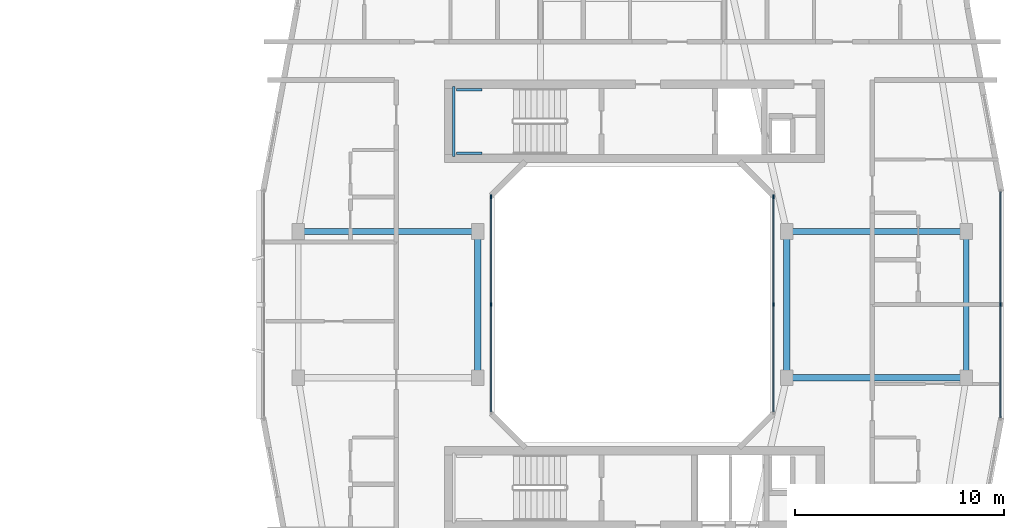
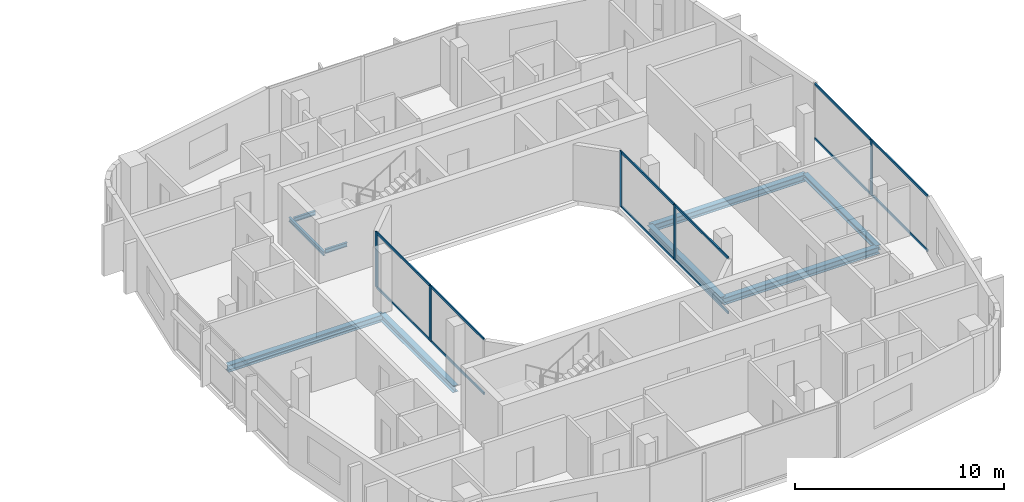
# One storey, part 9 of 26: 17 members, 9 beams, 3 elements without a shape of their own.
"""IFC4 building model written with IfcOpenShell, lengths in metres."""

from ifc_helpers import new_model, si_unit, derived_unit, direction, frame, origin, origin_2d, place, context, subcontext, project, spatial, rectangle, i_section, extrude, material, layer, layer_set, material_profile, profile_set, type_object, element, aggregate, save


model = new_model("IFC4")

# Units and contexts
model_context = context("Model", 3, precision=1e-05, world=origin(), true_north=direction((0.0, 1.0)))
body_context = subcontext(model_context, "Body", "Model", "MODEL_VIEW")
ifc_project = project(units=[si_unit("LENGTHUNIT", "METRE"), si_unit("AREAUNIT", "SQUARE_METRE"), si_unit("VOLUMEUNIT", "CUBIC_METRE"), si_unit("PLANEANGLEUNIT", "RADIAN"), si_unit("MASSUNIT", "GRAM", prefix="KILO"), derived_unit("THERMALTRANSMITTANCEUNIT", [(si_unit("POWERUNIT", "WATT"), 1), (si_unit("LENGTHUNIT", "METRE"), -2), (si_unit("THERMODYNAMICTEMPERATUREUNIT", "KELVIN"), -1)])], contexts=[model_context])

# Site, building, storey
site_placement = place(None, origin())
site = spatial("IfcSite", under=ifc_project, at=site_placement, CompositionType="ELEMENT")
building_placement = place(site_placement, origin())
building = spatial("IfcBuilding", under=site, at=building_placement, Name="Kivonza Crest Hotel", CompositionType="ELEMENT")
storey_placement = place(building_placement, frame((0.0, 0.0, 98.5)))
storey = spatial("IfcBuildingStorey", under=building, at=storey_placement, Name="L26", CompositionType="ELEMENT", Elevation=98.5)

# Beams
ifc_material_1 = material(Name="Steel S355", Category="steel")
ifc_material_profile_1 = material_profile(ifc_material_1, i_section(OverallWidth=0.280029296875, OverallDepth=0.280029296875, WebThickness=0.010498046875, FlangeThickness=0.01806640625, FilletRadius=0.02392578125, at=origin_2d()), Name="HEB 280")
ifc_profile_set_1 = profile_set([ifc_material_profile_1], Name="Steel S355")
beam_type_1 = type_object("IfcBeamType", Name="BM-HEB280", PredefinedType="SPANDREL", material=ifc_profile_set_1)
beam_1_placement = place(storey_placement, frame((93.0, 21.5, -0.389892578125), z_axis=(0.0, 1.0, 0.0), x_axis=(-1.0, 0.0, 0.0)))
element("IfcBeam", 1, at=beam_1_placement, inside=storey, type_object=beam_type_1, Name="Companion Tower T2 L26 perimeter spandrel E1-E2", PredefinedType="SPANDREL", context=body_context, shape_type="SweptSolid", body=[
    extrude(i_section(OverallWidth=0.280029296875, OverallDepth=0.280029296875, WebThickness=0.010498046875, FlangeThickness=0.01806640625, FilletRadius=0.02392578125, at=origin_2d()), origin(), (0.0, 0.0, 1.0), 7.0),
])
ifc_material_profile_2 = material_profile(ifc_material_1, i_section(OverallWidth=0.300048828125, OverallDepth=0.39990234375, WebThickness=0.013427734375, FlangeThickness=0.02392578125, FilletRadius=0.027099609375, at=origin_2d()), Name="HEB 400")
ifc_profile_set_2 = profile_set([ifc_material_profile_2], Name="Steel S355")
beam_type_2 = type_object("IfcBeamType", Name="BM-HEB400", PredefinedType="BEAM", material=ifc_profile_set_2)
beam_2_placement = place(storey_placement, frame((61.0, 28.5, -0.449951171875), z_axis=(1.0, 0.0, 0.0), x_axis=(0.0, 1.0, 0.0)))
element("IfcBeam", 2, at=beam_2_placement, inside=storey, type_object=beam_type_2, Name="Companion Tower T2 L26 girder W2-WL2", PredefinedType="BEAM", context=body_context, shape_type="SweptSolid", body=[
    extrude(i_section(OverallWidth=0.300048828125, OverallDepth=0.39990234375, WebThickness=0.013427734375, FlangeThickness=0.02392578125, FilletRadius=0.027099609375, at=origin_2d()), origin(), (0.0, 0.0, 1.0), 8.60009765625),
])
beam_3_placement = place(storey_placement, frame((69.60009765625, 21.5, -0.449951171875), z_axis=(0.0, 1.0, 0.0), x_axis=(-1.0, 0.0, 0.0)))
element("IfcBeam", 3, at=beam_3_placement, inside=storey, type_object=beam_type_2, Name="Companion Tower T2 L26 girder WL1-WL2", PredefinedType="BEAM", context=body_context, shape_type="SweptSolid", body=[
    extrude(i_section(OverallWidth=0.300048828125, OverallDepth=0.39990234375, WebThickness=0.013427734375, FlangeThickness=0.02392578125, FilletRadius=0.027099609375, at=origin_2d()), origin(), (0.0, 0.0, 1.0), 7.0),
])
for number, where, z_axis, x_axis, name in (
    (4, (84.39990234375, 21.5, -0.449951171875), (1.0, 0.0, 0.0), (0.0, 1.0, 0.0), "Companion Tower T2 L26 girder WR1-E1"),
    (5, (84.39990234375, 28.5, -0.449951171875), (1.0, 0.0, 0.0), (0.0, 1.0, 0.0), "Companion Tower T2 L26 girder WR2-E2"),
):
    element("IfcBeam", number, at=place(storey_placement, frame(where, z_axis=z_axis, x_axis=x_axis)), inside=storey, type_object=beam_type_2, Name=name, PredefinedType="BEAM", context=body_context, shape_type="SweptSolid", body=[
        extrude(i_section(OverallWidth=0.300048828125, OverallDepth=0.39990234375, WebThickness=0.013427734375, FlangeThickness=0.02392578125, FilletRadius=0.027099609375, at=origin_2d()), origin(), (0.0, 0.0, 1.0), 8.60009765625),
    ])
beam_4_placement = place(storey_placement, frame((84.39990234375, 21.5, -0.449951171875), z_axis=(0.0, 1.0, 0.0), x_axis=(-1.0, 0.0, 0.0)))
element("IfcBeam", 6, at=beam_4_placement, inside=storey, type_object=beam_type_2, Name="Companion Tower T2 L26 girder WR1-WR2", PredefinedType="BEAM", context=body_context, shape_type="SweptSolid", body=[
    extrude(i_section(OverallWidth=0.300048828125, OverallDepth=0.39990234375, WebThickness=0.013427734375, FlangeThickness=0.02392578125, FilletRadius=0.027099609375, at=origin_2d()), origin(), (0.0, 0.0, 1.0), 7.0),
])
ifc_material_profile_3 = material_profile(ifc_material_1, i_section(OverallWidth=0.1201171875, OverallDepth=0.239990234375, WebThickness=0.006103515625, FlangeThickness=0.009765625, FilletRadius=0.014892578125, at=origin_2d()), Name="IPE 240")
ifc_profile_set_3 = profile_set([ifc_material_profile_3], Name="Steel S355")
beam_type_3 = type_object("IfcBeamType", Name="BM-LLDG-240", PredefinedType="BEAM", material=ifc_profile_set_3)
beam_5_placement = place(storey_placement, frame((68.4599609375, 32.10009765625, 1.429931640625), z_axis=(0.0, 1.0, 0.0), x_axis=(-1.0, 0.0, 0.0)))
element("IfcBeam", 7, at=beam_5_placement, inside=storey, type_object=beam_type_3, Name="Stair ST-T2-N L26 West landing corbel", PredefinedType="BEAM", context=body_context, shape_type="SweptSolid", body=[
    extrude(i_section(OverallWidth=0.1201171875, OverallDepth=0.239990234375, WebThickness=0.006103515625, FlangeThickness=0.009765625, FilletRadius=0.014892578125, at=origin_2d()), origin(), (0.0, 0.0, 1.0), 3.35986328125),
])
for number, where, z_axis, x_axis, name in (
    (8, (68.590087890625, 32.260009765625, 1.429931640625), (1.0, 0.0, 0.0), (0.0, 1.0, 0.0), "Stair ST-T2-N L26 South landing corbel"),
    (9, (68.590087890625, 35.300048828125, 1.429931640625), (1.0, 0.0, 0.0), (0.0, 1.0, 0.0), "Stair ST-T2-N L26 North landing corbel"),
):
    element("IfcBeam", number, at=place(storey_placement, frame(where, z_axis=z_axis, x_axis=x_axis)), inside=storey, type_object=beam_type_3, Name=name, PredefinedType="BEAM", context=body_context, shape_type="SweptSolid", body=[
        extrude(i_section(OverallWidth=0.1201171875, OverallDepth=0.239990234375, WebThickness=0.006103515625, FlangeThickness=0.009765625, FilletRadius=0.014892578125, at=origin_2d()), origin(), (0.0, 0.0, 1.0), 1.2099609375),
    ])

# Curtain wall, member
ifc_material_2 = material(Name="Anodised bronze aluminium and low-E double glazing", Category="aluminium")
ifc_layer_1 = layer(ifc_material_2, 0.179931640625)
ifc_layer_set_1 = layer_set([ifc_layer_1], Name="Anodised bronze aluminium and low-E double glazing")
curtain_wall_type_1 = type_object("IfcCurtainWallType", Name="CW-SYS-4", PredefinedType="NOTDEFINED", material=ifc_layer_set_1)
curtain_wall_1_placement = place(storey_placement, origin())
curtain_wall_1 = element("IfcCurtainWall", 10, at=curtain_wall_1_placement, inside=storey, type_object=curtain_wall_type_1, Name="L26 unitised curtain wall CW-T2-L26-17", PredefinedType="NOTDEFINED")
ifc_material_3 = material(Name="Anodised bronze aluminium", Category="aluminium")
ifc_material_profile_4 = material_profile(ifc_material_3, rectangle(XDim=0.06494140625, YDim=0.179931640625, at=origin_2d()), Name="CW-M 65x180")
ifc_profile_set_4 = profile_set([ifc_material_profile_4], Name="Anodised bronze aluminium")
member_type_1 = type_object("IfcMemberType", Name="CW-MUL-65x180", PredefinedType="MULLION", material=ifc_profile_set_4)
member_1_placement = place(storey_placement, frame((94.639892578125, 25.0, 0.0), z_axis=(0.0, 0.0, 1.0), x_axis=(-1.0, 0.0, 0.0)))
member_1 = element("IfcMember", 11, at=member_1_placement, type_object=member_type_1, Name="CW-4 mullion 2", PredefinedType="MULLION", context=body_context, shape_type="SweptSolid", body=[
    extrude(rectangle(XDim=0.06494140625, YDim=0.179931640625, at=origin_2d()), origin(), (0.0, 0.0, 1.0), 3.25),
])

# Curtain wall, members
ifc_layer_2 = layer(ifc_material_2, 0.159912109375)
ifc_layer_set_2 = layer_set([ifc_layer_2], Name="Anodised bronze aluminium and low-E double glazing")
curtain_wall_type_2 = type_object("IfcCurtainWallType", Name="CW-SYS-5", PredefinedType="NOTDEFINED", material=ifc_layer_set_2)
curtain_wall_2_placement = place(storey_placement, origin())
curtain_wall_2 = element("IfcCurtainWall", 12, at=curtain_wall_2_placement, inside=storey, type_object=curtain_wall_type_2, Name="L26 unitised curtain wall CW-WELL-T2-L26-3", PredefinedType="NOTDEFINED")
member_2_placement = place(storey_placement, frame((83.760009765625, 25.0, 0.0), z_axis=(0.0, 0.0, 1.0), x_axis=(-1.0, 0.0, 0.0)))
member_2 = element("IfcMember", 13, at=member_2_placement, type_object=member_type_1, Name="CW-5 mullion 2", PredefinedType="MULLION", context=body_context, shape_type="SweptSolid", body=[
    extrude(rectangle(XDim=0.06494140625, YDim=0.179931640625, at=origin_2d()), origin(), (0.0, 0.0, 1.0), 3.25),
])
member_3_placement = place(storey_placement, frame((83.760009765625, 30.16748046875, 0.0), z_axis=(0.0, 0.0, 1.0), x_axis=(-1.0, 0.0, 0.0)))
member_3 = element("IfcMember", 14, at=member_3_placement, type_object=member_type_1, Name="CW-5 mullion 3", PredefinedType="MULLION", context=body_context, shape_type="SweptSolid", body=[
    extrude(rectangle(XDim=0.06494140625, YDim=0.179931640625, at=origin_2d()), origin(), (0.0, 0.0, 1.0), 3.25),
])

curtain_wall_3_placement = place(storey_placement, origin())
curtain_wall_3 = element("IfcCurtainWall", 15, at=curtain_wall_3_placement, inside=storey, type_object=curtain_wall_type_2, Name="L26 unitised curtain wall CW-WELL-T2-L26-7", PredefinedType="NOTDEFINED")
member_4_placement = place(storey_placement, frame((70.239990234375, 30.16748046875, 0.0), z_axis=(0.0, 0.0, 1.0), x_axis=(1.0, 0.0, 0.0)))
member_4 = element("IfcMember", 16, at=member_4_placement, type_object=member_type_1, Name="CW-5 mullion 1", PredefinedType="MULLION", context=body_context, shape_type="SweptSolid", body=[
    extrude(rectangle(XDim=0.06494140625, YDim=0.179931640625, at=origin_2d()), origin(), (0.0, 0.0, 1.0), 3.25),
])
member_5_placement = place(storey_placement, frame((70.239990234375, 25.0, 0.0), z_axis=(0.0, 0.0, 1.0), x_axis=(1.0, 0.0, 0.0)))
member_5 = element("IfcMember", 17, at=member_5_placement, type_object=member_type_1, Name="CW-5 mullion 2", PredefinedType="MULLION", context=body_context, shape_type="SweptSolid", body=[
    extrude(rectangle(XDim=0.06494140625, YDim=0.179931640625, at=origin_2d()), origin(), (0.0, 0.0, 1.0), 3.25),
])

# Member
ifc_material_profile_5 = material_profile(ifc_material_3, rectangle(XDim=0.06494140625, YDim=0.139892578125, at=origin_2d()), Name="CW-T 65x140")
ifc_profile_set_5 = profile_set([ifc_material_profile_5], Name="Anodised bronze aluminium")
member_type_2 = type_object("IfcMemberType", Name="CW-TRN-65x140", PredefinedType="USERDEFINED", material=ifc_profile_set_5)
member_6_placement = place(storey_placement, frame((94.639892578125, 19.5849609375, 0.032470703125), z_axis=(0.0, 1.0, 0.0), x_axis=(-1.0, 0.0, 0.0)))
member_6 = element("IfcMember", 18, at=member_6_placement, type_object=member_type_2, Name="CW-4 transom 1.1", ObjectType="TRANSOM", PredefinedType="USERDEFINED", context=body_context, shape_type="SweptSolid", body=[
    extrude(rectangle(XDim=0.06494140625, YDim=0.139892578125, at=origin_2d()), origin(), (0.0, 0.0, 1.0), 5.382568359375),
])

member_7_placement = place(storey_placement, frame((94.639892578125, 19.5849609375, 3.217529296875), z_axis=(0.0, 1.0, 0.0), x_axis=(-1.0, 0.0, 0.0)))
member_7 = element("IfcMember", 19, at=member_7_placement, type_object=member_type_2, Name="CW-4 transom 1.2", ObjectType="TRANSOM", PredefinedType="USERDEFINED", context=body_context, shape_type="SweptSolid", body=[
    extrude(rectangle(XDim=0.06494140625, YDim=0.139892578125, at=origin_2d()), origin(), (0.0, 0.0, 1.0), 5.382568359375),
])

member_8_placement = place(storey_placement, frame((94.639892578125, 25.032470703125, 0.032470703125), z_axis=(0.0, 1.0, 0.0), x_axis=(-1.0, 0.0, 0.0)))
member_8 = element("IfcMember", 20, at=member_8_placement, type_object=member_type_2, Name="CW-4 transom 2.1", ObjectType="TRANSOM", PredefinedType="USERDEFINED", context=body_context, shape_type="SweptSolid", body=[
    extrude(rectangle(XDim=0.06494140625, YDim=0.139892578125, at=origin_2d()), origin(), (0.0, 0.0, 1.0), 5.382568359375),
])

member_9_placement = place(storey_placement, frame((94.639892578125, 25.032470703125, 3.217529296875), z_axis=(0.0, 1.0, 0.0), x_axis=(-1.0, 0.0, 0.0)))
member_9 = element("IfcMember", 21, at=member_9_placement, type_object=member_type_2, Name="CW-4 transom 2.2", ObjectType="TRANSOM", PredefinedType="USERDEFINED", context=body_context, shape_type="SweptSolid", body=[
    extrude(rectangle(XDim=0.06494140625, YDim=0.139892578125, at=origin_2d()), origin(), (0.0, 0.0, 1.0), 5.382568359375),
])

aggregate(curtain_wall_1, [member_1, member_6, member_7, member_8, member_9])

member_10_placement = place(storey_placement, frame((83.760009765625, 19.864990234375, 0.032470703125), z_axis=(0.0, 1.0, 0.0), x_axis=(-1.0, 0.0, 0.0)))
member_10 = element("IfcMember", 22, at=member_10_placement, type_object=member_type_2, Name="CW-5 transom 1.1", ObjectType="TRANSOM", PredefinedType="USERDEFINED", context=body_context, shape_type="SweptSolid", body=[
    extrude(rectangle(XDim=0.06494140625, YDim=0.139892578125, at=origin_2d()), origin(), (0.0, 0.0, 1.0), 5.1025390625),
])

member_11_placement = place(storey_placement, frame((83.760009765625, 19.864990234375, 3.217529296875), z_axis=(0.0, 1.0, 0.0), x_axis=(-1.0, 0.0, 0.0)))
member_11 = element("IfcMember", 23, at=member_11_placement, type_object=member_type_2, Name="CW-5 transom 1.2", ObjectType="TRANSOM", PredefinedType="USERDEFINED", context=body_context, shape_type="SweptSolid", body=[
    extrude(rectangle(XDim=0.06494140625, YDim=0.139892578125, at=origin_2d()), origin(), (0.0, 0.0, 1.0), 5.1025390625),
])

member_12_placement = place(storey_placement, frame((83.760009765625, 25.032470703125, 0.032470703125), z_axis=(0.0, 1.0, 0.0), x_axis=(-1.0, 0.0, 0.0)))
member_12 = element("IfcMember", 24, at=member_12_placement, type_object=member_type_2, Name="CW-5 transom 2.1", ObjectType="TRANSOM", PredefinedType="USERDEFINED", context=body_context, shape_type="SweptSolid", body=[
    extrude(rectangle(XDim=0.06494140625, YDim=0.139892578125, at=origin_2d()), origin(), (0.0, 0.0, 1.0), 5.1025390625),
])

member_13_placement = place(storey_placement, frame((83.760009765625, 25.032470703125, 3.217529296875), z_axis=(0.0, 1.0, 0.0), x_axis=(-1.0, 0.0, 0.0)))
member_13 = element("IfcMember", 25, at=member_13_placement, type_object=member_type_2, Name="CW-5 transom 2.2", ObjectType="TRANSOM", PredefinedType="USERDEFINED", context=body_context, shape_type="SweptSolid", body=[
    extrude(rectangle(XDim=0.06494140625, YDim=0.139892578125, at=origin_2d()), origin(), (0.0, 0.0, 1.0), 5.1025390625),
])

aggregate(curtain_wall_2, [member_2, member_3, member_10, member_11, member_12, member_13])

member_14_placement = place(storey_placement, frame((70.239990234375, 30.135009765625, 0.032470703125), z_axis=(0.0, -1.0, 0.0), x_axis=(1.0, 0.0, 0.0)))
member_14 = element("IfcMember", 26, at=member_14_placement, type_object=member_type_2, Name="CW-5 transom 1.1", ObjectType="TRANSOM", PredefinedType="USERDEFINED", context=body_context, shape_type="SweptSolid", body=[
    extrude(rectangle(XDim=0.06494140625, YDim=0.139892578125, at=origin_2d()), origin(), (0.0, 0.0, 1.0), 5.1025390625),
])

member_15_placement = place(storey_placement, frame((70.239990234375, 30.135009765625, 3.217529296875), z_axis=(0.0, -1.0, 0.0), x_axis=(1.0, 0.0, 0.0)))
member_15 = element("IfcMember", 27, at=member_15_placement, type_object=member_type_2, Name="CW-5 transom 1.2", ObjectType="TRANSOM", PredefinedType="USERDEFINED", context=body_context, shape_type="SweptSolid", body=[
    extrude(rectangle(XDim=0.06494140625, YDim=0.139892578125, at=origin_2d()), origin(), (0.0, 0.0, 1.0), 5.1025390625),
])

member_16_placement = place(storey_placement, frame((70.239990234375, 24.967529296875, 0.032470703125), z_axis=(0.0, -1.0, 0.0), x_axis=(1.0, 0.0, 0.0)))
member_16 = element("IfcMember", 28, at=member_16_placement, type_object=member_type_2, Name="CW-5 transom 2.1", ObjectType="TRANSOM", PredefinedType="USERDEFINED", context=body_context, shape_type="SweptSolid", body=[
    extrude(rectangle(XDim=0.06494140625, YDim=0.139892578125, at=origin_2d()), origin(), (0.0, 0.0, 1.0), 5.1025390625),
])

member_17_placement = place(storey_placement, frame((70.239990234375, 24.967529296875, 3.217529296875), z_axis=(0.0, -1.0, 0.0), x_axis=(1.0, 0.0, 0.0)))
member_17 = element("IfcMember", 29, at=member_17_placement, type_object=member_type_2, Name="CW-5 transom 2.2", ObjectType="TRANSOM", PredefinedType="USERDEFINED", context=body_context, shape_type="SweptSolid", body=[
    extrude(rectangle(XDim=0.06494140625, YDim=0.139892578125, at=origin_2d()), origin(), (0.0, 0.0, 1.0), 5.1025390625),
])

aggregate(curtain_wall_3, [member_4, member_5, member_14, member_15, member_16, member_17])

save(model, "model.ifc")
